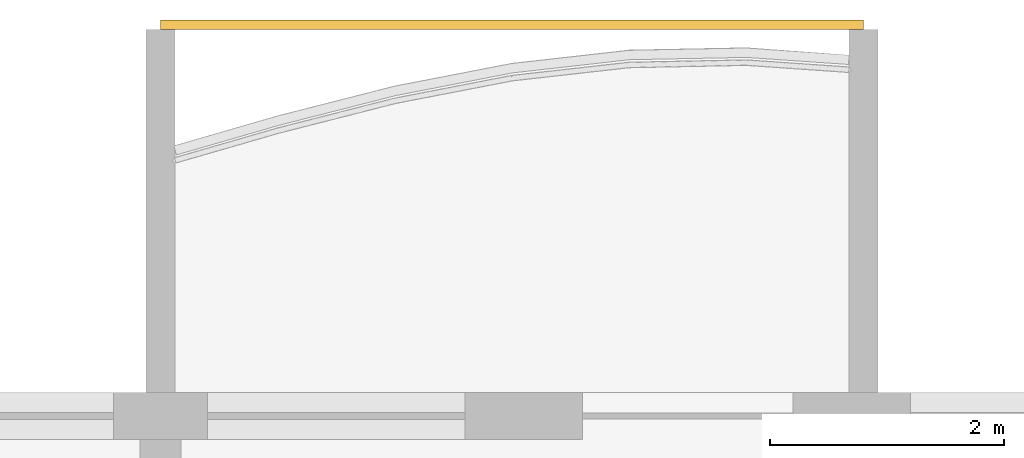
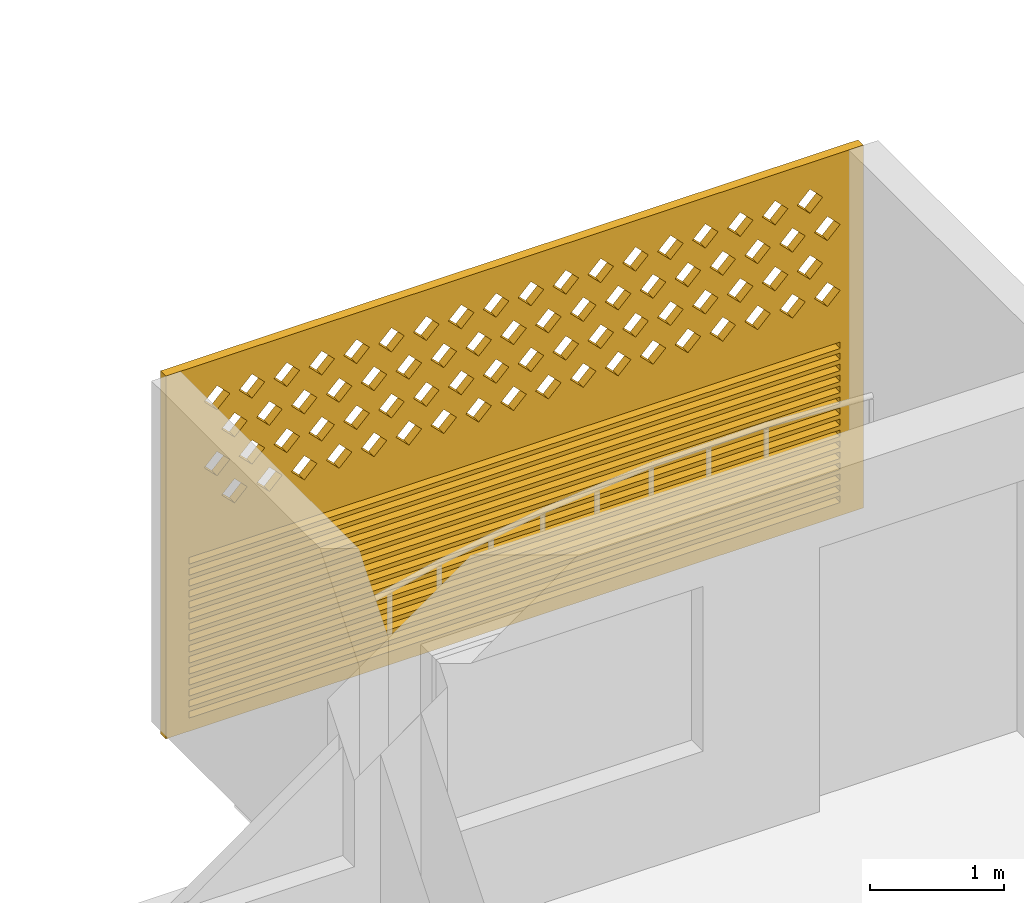
# One storey, part 21 of 30: 1 covering.
"""IFC4 building model written with IfcOpenShell, lengths in metres."""

from ifc_helpers import new_model, si_unit, direction, frame, origin, place, context, subcontext, project, spatial, polyline, outline, extrude, source, transform, mapped, material, material_profile, profile_set, type_object, element, save


model = new_model("IFC4")

# Units and contexts
model_context = context("Model", 3, precision=1e-05, world=origin(), true_north=direction((0.0, 1.0)))
body_context = subcontext(model_context, "Body", "Model", "MODEL_VIEW")
ifc_project = project(units=[si_unit("LENGTHUNIT", "METRE"), si_unit("AREAUNIT", "SQUARE_METRE"), si_unit("VOLUMEUNIT", "CUBIC_METRE"), si_unit("PLANEANGLEUNIT", "RADIAN"), si_unit("MASSUNIT", "GRAM", prefix="KILO")], contexts=[model_context])

# Site, building, storey
site_placement = place(None, origin())
site = spatial("IfcSite", under=ifc_project, at=site_placement, CompositionType="ELEMENT")
building_placement = place(site_placement, origin())
building = spatial("IfcBuilding", under=site, at=building_placement, Name="Poui Terraces", CompositionType="ELEMENT")
storey_placement = place(building_placement, frame((0.0, 0.0, 99.300048828125)))
storey = spatial("IfcBuildingStorey", under=building, at=storey_placement, Name="L27", CompositionType="ELEMENT", Elevation=99.300048828125)

# Covering
ifc_material = material(Name="Terracotta screen", Category="masonry")
ifc_material_profile = material_profile(ifc_material, outline(polyline([(-3.0, -1.64990234375), (3.0, -1.64990234375), (3.0, 1.64990234375), (-3.0, 1.64990234375), (-3.0, -1.64990234375)]), holes=[polyline([(-2.800048828125, 0.39990234375), (-2.68994140625, 0.2900390625), (-2.580078125, 0.39990234375), (-2.68994140625, 0.510009765625), (-2.800048828125, 0.39990234375)]), polyline([(-2.5, 0.39990234375), (-2.389892578125, 0.2900390625), (-2.280029296875, 0.39990234375), (-2.389892578125, 0.510009765625), (-2.5, 0.39990234375)]), polyline([(-2.199951171875, 0.39990234375), (-2.090087890625, 0.2900390625), (-1.97998046875, 0.39990234375), (-2.090087890625, 0.510009765625), (-2.199951171875, 0.39990234375)]), polyline([(-1.89990234375, 0.39990234375), (-1.7900390625, 0.2900390625), (-1.679931640625, 0.39990234375), (-1.7900390625, 0.510009765625), (-1.89990234375, 0.39990234375)]), polyline([(-1.60009765625, 0.39990234375), (-1.489990234375, 0.2900390625), (-1.3798828125, 0.39990234375), (-1.489990234375, 0.510009765625), (-1.60009765625, 0.39990234375)]), polyline([(-1.300048828125, 0.39990234375), (-1.18994140625, 0.2900390625), (-1.080078125, 0.39990234375), (-1.18994140625, 0.510009765625), (-1.300048828125, 0.39990234375)]), polyline([(-1.0, 0.39990234375), (-0.889892578125, 0.2900390625), (-0.780029296875, 0.39990234375), (-0.889892578125, 0.510009765625), (-1.0, 0.39990234375)]), polyline([(-0.699951171875, 0.39990234375), (-0.590087890625, 0.2900390625), (-0.47998046875, 0.39990234375), (-0.590087890625, 0.510009765625), (-0.699951171875, 0.39990234375)]), polyline([(-0.39990234375, 0.39990234375), (-0.2900390625, 0.2900390625), (-0.179931640625, 0.39990234375), (-0.2900390625, 0.510009765625), (-0.39990234375, 0.39990234375)]), polyline([(-0.10009765625, 0.39990234375), (0.010009765625, 0.2900390625), (0.1201171875, 0.39990234375), (0.010009765625, 0.510009765625), (-0.10009765625, 0.39990234375)]), polyline([(0.199951171875, 0.39990234375), (0.31005859375, 0.2900390625), (0.419921875, 0.39990234375), (0.31005859375, 0.510009765625), (0.199951171875, 0.39990234375)]), polyline([(0.5, 0.39990234375), (0.610107421875, 0.2900390625), (0.719970703125, 0.39990234375), (0.610107421875, 0.510009765625), (0.5, 0.39990234375)]), polyline([(0.800048828125, 0.39990234375), (0.909912109375, 0.2900390625), (1.02001953125, 0.39990234375), (0.909912109375, 0.510009765625), (0.800048828125, 0.39990234375)]), polyline([(1.10009765625, 0.39990234375), (1.2099609375, 0.2900390625), (1.320068359375, 0.39990234375), (1.2099609375, 0.510009765625), (1.10009765625, 0.39990234375)]), polyline([(1.39990234375, 0.39990234375), (1.510009765625, 0.2900390625), (1.6201171875, 0.39990234375), (1.510009765625, 0.510009765625), (1.39990234375, 0.39990234375)]), polyline([(1.699951171875, 0.39990234375), (1.81005859375, 0.2900390625), (1.919921875, 0.39990234375), (1.81005859375, 0.510009765625), (1.699951171875, 0.39990234375)]), polyline([(2.0, 0.39990234375), (2.110107421875, 0.2900390625), (2.219970703125, 0.39990234375), (2.110107421875, 0.510009765625), (2.0, 0.39990234375)]), polyline([(2.300048828125, 0.39990234375), (2.409912109375, 0.2900390625), (2.52001953125, 0.39990234375), (2.409912109375, 0.510009765625), (2.300048828125, 0.39990234375)]), polyline([(-2.64990234375, 0.699951171875), (-2.5400390625, 0.590087890625), (-2.429931640625, 0.699951171875), (-2.5400390625, 0.81005859375), (-2.64990234375, 0.699951171875)]), polyline([(-2.35009765625, 0.699951171875), (-2.239990234375, 0.590087890625), (-2.1298828125, 0.699951171875), (-2.239990234375, 0.81005859375), (-2.35009765625, 0.699951171875)]), polyline([(-2.050048828125, 0.699951171875), (-1.93994140625, 0.590087890625), (-1.830078125, 0.699951171875), (-1.93994140625, 0.81005859375), (-2.050048828125, 0.699951171875)]), polyline([(-1.75, 0.699951171875), (-1.639892578125, 0.590087890625), (-1.530029296875, 0.699951171875), (-1.639892578125, 0.81005859375), (-1.75, 0.699951171875)]), polyline([(-1.449951171875, 0.699951171875), (-1.340087890625, 0.590087890625), (-1.22998046875, 0.699951171875), (-1.340087890625, 0.81005859375), (-1.449951171875, 0.699951171875)]), polyline([(-1.14990234375, 0.699951171875), (-1.0400390625, 0.590087890625), (-0.929931640625, 0.699951171875), (-1.0400390625, 0.81005859375), (-1.14990234375, 0.699951171875)]), polyline([(-0.85009765625, 0.699951171875), (-0.739990234375, 0.590087890625), (-0.6298828125, 0.699951171875), (-0.739990234375, 0.81005859375), (-0.85009765625, 0.699951171875)]), polyline([(-0.550048828125, 0.699951171875), (-0.43994140625, 0.590087890625), (-0.330078125, 0.699951171875), (-0.43994140625, 0.81005859375), (-0.550048828125, 0.699951171875)]), polyline([(-0.25, 0.699951171875), (-0.139892578125, 0.590087890625), (-0.030029296875, 0.699951171875), (-0.139892578125, 0.81005859375), (-0.25, 0.699951171875)]), polyline([(0.050048828125, 0.699951171875), (0.159912109375, 0.590087890625), (0.27001953125, 0.699951171875), (0.159912109375, 0.81005859375), (0.050048828125, 0.699951171875)]), polyline([(0.35009765625, 0.699951171875), (0.4599609375, 0.590087890625), (0.570068359375, 0.699951171875), (0.4599609375, 0.81005859375), (0.35009765625, 0.699951171875)]), polyline([(0.64990234375, 0.699951171875), (0.760009765625, 0.590087890625), (0.8701171875, 0.699951171875), (0.760009765625, 0.81005859375), (0.64990234375, 0.699951171875)]), polyline([(0.949951171875, 0.699951171875), (1.06005859375, 0.590087890625), (1.169921875, 0.699951171875), (1.06005859375, 0.81005859375), (0.949951171875, 0.699951171875)]), polyline([(1.25, 0.699951171875), (1.360107421875, 0.590087890625), (1.469970703125, 0.699951171875), (1.360107421875, 0.81005859375), (1.25, 0.699951171875)]), polyline([(1.550048828125, 0.699951171875), (1.659912109375, 0.590087890625), (1.77001953125, 0.699951171875), (1.659912109375, 0.81005859375), (1.550048828125, 0.699951171875)]), polyline([(1.85009765625, 0.699951171875), (1.9599609375, 0.590087890625), (2.070068359375, 0.699951171875), (1.9599609375, 0.81005859375), (1.85009765625, 0.699951171875)]), polyline([(2.14990234375, 0.699951171875), (2.260009765625, 0.590087890625), (2.3701171875, 0.699951171875), (2.260009765625, 0.81005859375), (2.14990234375, 0.699951171875)]), polyline([(2.449951171875, 0.699951171875), (2.56005859375, 0.590087890625), (2.669921875, 0.699951171875), (2.56005859375, 0.81005859375), (2.449951171875, 0.699951171875)]), polyline([(-2.800048828125, 1.0), (-2.68994140625, 0.889892578125), (-2.580078125, 1.0), (-2.68994140625, 1.110107421875), (-2.800048828125, 1.0)]), polyline([(-2.5, 1.0), (-2.389892578125, 0.889892578125), (-2.280029296875, 1.0), (-2.389892578125, 1.110107421875), (-2.5, 1.0)]), polyline([(-2.199951171875, 1.0), (-2.090087890625, 0.889892578125), (-1.97998046875, 1.0), (-2.090087890625, 1.110107421875), (-2.199951171875, 1.0)]), polyline([(-1.89990234375, 1.0), (-1.7900390625, 0.889892578125), (-1.679931640625, 1.0), (-1.7900390625, 1.110107421875), (-1.89990234375, 1.0)]), polyline([(-1.60009765625, 1.0), (-1.489990234375, 0.889892578125), (-1.3798828125, 1.0), (-1.489990234375, 1.110107421875), (-1.60009765625, 1.0)]), polyline([(-1.300048828125, 1.0), (-1.18994140625, 0.889892578125), (-1.080078125, 1.0), (-1.18994140625, 1.110107421875), (-1.300048828125, 1.0)]), polyline([(-1.0, 1.0), (-0.889892578125, 0.889892578125), (-0.780029296875, 1.0), (-0.889892578125, 1.110107421875), (-1.0, 1.0)]), polyline([(-0.699951171875, 1.0), (-0.590087890625, 0.889892578125), (-0.47998046875, 1.0), (-0.590087890625, 1.110107421875), (-0.699951171875, 1.0)]), polyline([(-0.39990234375, 1.0), (-0.2900390625, 0.889892578125), (-0.179931640625, 1.0), (-0.2900390625, 1.110107421875), (-0.39990234375, 1.0)]), polyline([(-0.10009765625, 1.0), (0.010009765625, 0.889892578125), (0.1201171875, 1.0), (0.010009765625, 1.110107421875), (-0.10009765625, 1.0)]), polyline([(0.199951171875, 1.0), (0.31005859375, 0.889892578125), (0.419921875, 1.0), (0.31005859375, 1.110107421875), (0.199951171875, 1.0)]), polyline([(0.5, 1.0), (0.610107421875, 0.889892578125), (0.719970703125, 1.0), (0.610107421875, 1.110107421875), (0.5, 1.0)]), polyline([(0.800048828125, 1.0), (0.909912109375, 0.889892578125), (1.02001953125, 1.0), (0.909912109375, 1.110107421875), (0.800048828125, 1.0)]), polyline([(1.10009765625, 1.0), (1.2099609375, 0.889892578125), (1.320068359375, 1.0), (1.2099609375, 1.110107421875), (1.10009765625, 1.0)]), polyline([(1.39990234375, 1.0), (1.510009765625, 0.889892578125), (1.6201171875, 1.0), (1.510009765625, 1.110107421875), (1.39990234375, 1.0)]), polyline([(1.699951171875, 1.0), (1.81005859375, 0.889892578125), (1.919921875, 1.0), (1.81005859375, 1.110107421875), (1.699951171875, 1.0)]), polyline([(2.0, 1.0), (2.110107421875, 0.889892578125), (2.219970703125, 1.0), (2.110107421875, 1.110107421875), (2.0, 1.0)]), polyline([(2.300048828125, 1.0), (2.409912109375, 0.889892578125), (2.52001953125, 1.0), (2.409912109375, 1.110107421875), (2.300048828125, 1.0)]), polyline([(-2.64990234375, 1.300048828125), (-2.5400390625, 1.18994140625), (-2.429931640625, 1.300048828125), (-2.5400390625, 1.409912109375), (-2.64990234375, 1.300048828125)]), polyline([(-2.35009765625, 1.300048828125), (-2.239990234375, 1.18994140625), (-2.1298828125, 1.300048828125), (-2.239990234375, 1.409912109375), (-2.35009765625, 1.300048828125)]), polyline([(-2.050048828125, 1.300048828125), (-1.93994140625, 1.18994140625), (-1.830078125, 1.300048828125), (-1.93994140625, 1.409912109375), (-2.050048828125, 1.300048828125)]), polyline([(-1.75, 1.300048828125), (-1.639892578125, 1.18994140625), (-1.530029296875, 1.300048828125), (-1.639892578125, 1.409912109375), (-1.75, 1.300048828125)]), polyline([(-1.449951171875, 1.300048828125), (-1.340087890625, 1.18994140625), (-1.22998046875, 1.300048828125), (-1.340087890625, 1.409912109375), (-1.449951171875, 1.300048828125)]), polyline([(-1.14990234375, 1.300048828125), (-1.0400390625, 1.18994140625), (-0.929931640625, 1.300048828125), (-1.0400390625, 1.409912109375), (-1.14990234375, 1.300048828125)]), polyline([(-0.85009765625, 1.300048828125), (-0.739990234375, 1.18994140625), (-0.6298828125, 1.300048828125), (-0.739990234375, 1.409912109375), (-0.85009765625, 1.300048828125)]), polyline([(-0.550048828125, 1.300048828125), (-0.43994140625, 1.18994140625), (-0.330078125, 1.300048828125), (-0.43994140625, 1.409912109375), (-0.550048828125, 1.300048828125)]), polyline([(-0.25, 1.300048828125), (-0.139892578125, 1.18994140625), (-0.030029296875, 1.300048828125), (-0.139892578125, 1.409912109375), (-0.25, 1.300048828125)]), polyline([(0.050048828125, 1.300048828125), (0.159912109375, 1.18994140625), (0.27001953125, 1.300048828125), (0.159912109375, 1.409912109375), (0.050048828125, 1.300048828125)]), polyline([(0.35009765625, 1.300048828125), (0.4599609375, 1.18994140625), (0.570068359375, 1.300048828125), (0.4599609375, 1.409912109375), (0.35009765625, 1.300048828125)]), polyline([(0.64990234375, 1.300048828125), (0.760009765625, 1.18994140625), (0.8701171875, 1.300048828125), (0.760009765625, 1.409912109375), (0.64990234375, 1.300048828125)]), polyline([(0.949951171875, 1.300048828125), (1.06005859375, 1.18994140625), (1.169921875, 1.300048828125), (1.06005859375, 1.409912109375), (0.949951171875, 1.300048828125)]), polyline([(1.25, 1.300048828125), (1.360107421875, 1.18994140625), (1.469970703125, 1.300048828125), (1.360107421875, 1.409912109375), (1.25, 1.300048828125)]), polyline([(1.550048828125, 1.300048828125), (1.659912109375, 1.18994140625), (1.77001953125, 1.300048828125), (1.659912109375, 1.409912109375), (1.550048828125, 1.300048828125)]), polyline([(1.85009765625, 1.300048828125), (1.9599609375, 1.18994140625), (2.070068359375, 1.300048828125), (1.9599609375, 1.409912109375), (1.85009765625, 1.300048828125)]), polyline([(2.14990234375, 1.300048828125), (2.260009765625, 1.18994140625), (2.3701171875, 1.300048828125), (2.260009765625, 1.409912109375), (2.14990234375, 1.300048828125)]), polyline([(2.449951171875, 1.300048828125), (2.56005859375, 1.18994140625), (2.669921875, 1.300048828125), (2.56005859375, 1.409912109375), (2.449951171875, 1.300048828125)]), polyline([(-2.800048828125, -1.530029296875), (2.800048828125, -1.530029296875), (2.800048828125, -1.469970703125), (-2.800048828125, -1.469970703125), (-2.800048828125, -1.530029296875)]), polyline([(-2.800048828125, -1.429931640625), (2.800048828125, -1.429931640625), (2.800048828125, -1.3701171875), (-2.800048828125, -1.3701171875), (-2.800048828125, -1.429931640625)]), polyline([(-2.800048828125, -1.330078125), (2.800048828125, -1.330078125), (2.800048828125, -1.27001953125), (-2.800048828125, -1.27001953125), (-2.800048828125, -1.330078125)]), polyline([(-2.800048828125, -1.22998046875), (2.800048828125, -1.22998046875), (2.800048828125, -1.169921875), (-2.800048828125, -1.169921875), (-2.800048828125, -1.22998046875)]), polyline([(-2.800048828125, -1.1298828125), (2.800048828125, -1.1298828125), (2.800048828125, -1.070068359375), (-2.800048828125, -1.070068359375), (-2.800048828125, -1.1298828125)]), polyline([(-2.800048828125, -1.030029296875), (2.800048828125, -1.030029296875), (2.800048828125, -0.969970703125), (-2.800048828125, -0.969970703125), (-2.800048828125, -1.030029296875)]), polyline([(-2.800048828125, -0.929931640625), (2.800048828125, -0.929931640625), (2.800048828125, -0.8701171875), (-2.800048828125, -0.8701171875), (-2.800048828125, -0.929931640625)]), polyline([(-2.800048828125, -0.830078125), (2.800048828125, -0.830078125), (2.800048828125, -0.77001953125), (-2.800048828125, -0.77001953125), (-2.800048828125, -0.830078125)]), polyline([(-2.800048828125, -0.72998046875), (2.800048828125, -0.72998046875), (2.800048828125, -0.669921875), (-2.800048828125, -0.669921875), (-2.800048828125, -0.72998046875)]), polyline([(-2.800048828125, -0.6298828125), (2.800048828125, -0.6298828125), (2.800048828125, -0.570068359375), (-2.800048828125, -0.570068359375), (-2.800048828125, -0.6298828125)]), polyline([(-2.800048828125, -0.530029296875), (2.800048828125, -0.530029296875), (2.800048828125, -0.469970703125), (-2.800048828125, -0.469970703125), (-2.800048828125, -0.530029296875)]), polyline([(-2.800048828125, -0.429931640625), (2.800048828125, -0.429931640625), (2.800048828125, -0.3701171875), (-2.800048828125, -0.3701171875), (-2.800048828125, -0.429931640625)]), polyline([(-2.800048828125, -0.330078125), (2.800048828125, -0.330078125), (2.800048828125, -0.27001953125), (-2.800048828125, -0.27001953125), (-2.800048828125, -0.330078125)]), polyline([(-2.800048828125, -0.22998046875), (2.800048828125, -0.22998046875), (2.800048828125, -0.169921875), (-2.800048828125, -0.169921875), (-2.800048828125, -0.22998046875)]), polyline([(-2.800048828125, -0.1298828125), (2.800048828125, -0.1298828125), (2.800048828125, -0.070068359375), (-2.800048828125, -0.070068359375), (-2.800048828125, -0.1298828125)])]), Name="TERRACOTTA SCREEN AND JALOUSIE LOUVRE 6000X3300")
ifc_profile_set = profile_set([ifc_material_profile], Name="Terracotta screen")
covering_type = type_object("IfcCoveringType", Name="TERRACOTTA SCREEN AND JALOUSIE LOUVRE 6000X3300", PredefinedType="CLADDING", material=ifc_profile_set)
shared_shape = source(origin(), body_context, "Body", "SweptSolid", [
    extrude(outline(polyline([(-3.0, -1.64990234375), (3.0, -1.64990234375), (3.0, 1.64990234375), (-3.0, 1.64990234375), (-3.0, -1.64990234375)]), holes=[polyline([(-2.800048828125, 0.39990234375), (-2.68994140625, 0.2900390625), (-2.580078125, 0.39990234375), (-2.68994140625, 0.510009765625), (-2.800048828125, 0.39990234375)]), polyline([(-2.5, 0.39990234375), (-2.389892578125, 0.2900390625), (-2.280029296875, 0.39990234375), (-2.389892578125, 0.510009765625), (-2.5, 0.39990234375)]), polyline([(-2.199951171875, 0.39990234375), (-2.090087890625, 0.2900390625), (-1.97998046875, 0.39990234375), (-2.090087890625, 0.510009765625), (-2.199951171875, 0.39990234375)]), polyline([(-1.89990234375, 0.39990234375), (-1.7900390625, 0.2900390625), (-1.679931640625, 0.39990234375), (-1.7900390625, 0.510009765625), (-1.89990234375, 0.39990234375)]), polyline([(-1.60009765625, 0.39990234375), (-1.489990234375, 0.2900390625), (-1.3798828125, 0.39990234375), (-1.489990234375, 0.510009765625), (-1.60009765625, 0.39990234375)]), polyline([(-1.300048828125, 0.39990234375), (-1.18994140625, 0.2900390625), (-1.080078125, 0.39990234375), (-1.18994140625, 0.510009765625), (-1.300048828125, 0.39990234375)]), polyline([(-1.0, 0.39990234375), (-0.889892578125, 0.2900390625), (-0.780029296875, 0.39990234375), (-0.889892578125, 0.510009765625), (-1.0, 0.39990234375)]), polyline([(-0.699951171875, 0.39990234375), (-0.590087890625, 0.2900390625), (-0.47998046875, 0.39990234375), (-0.590087890625, 0.510009765625), (-0.699951171875, 0.39990234375)]), polyline([(-0.39990234375, 0.39990234375), (-0.2900390625, 0.2900390625), (-0.179931640625, 0.39990234375), (-0.2900390625, 0.510009765625), (-0.39990234375, 0.39990234375)]), polyline([(-0.10009765625, 0.39990234375), (0.010009765625, 0.2900390625), (0.1201171875, 0.39990234375), (0.010009765625, 0.510009765625), (-0.10009765625, 0.39990234375)]), polyline([(0.199951171875, 0.39990234375), (0.31005859375, 0.2900390625), (0.419921875, 0.39990234375), (0.31005859375, 0.510009765625), (0.199951171875, 0.39990234375)]), polyline([(0.5, 0.39990234375), (0.610107421875, 0.2900390625), (0.719970703125, 0.39990234375), (0.610107421875, 0.510009765625), (0.5, 0.39990234375)]), polyline([(0.800048828125, 0.39990234375), (0.909912109375, 0.2900390625), (1.02001953125, 0.39990234375), (0.909912109375, 0.510009765625), (0.800048828125, 0.39990234375)]), polyline([(1.10009765625, 0.39990234375), (1.2099609375, 0.2900390625), (1.320068359375, 0.39990234375), (1.2099609375, 0.510009765625), (1.10009765625, 0.39990234375)]), polyline([(1.39990234375, 0.39990234375), (1.510009765625, 0.2900390625), (1.6201171875, 0.39990234375), (1.510009765625, 0.510009765625), (1.39990234375, 0.39990234375)]), polyline([(1.699951171875, 0.39990234375), (1.81005859375, 0.2900390625), (1.919921875, 0.39990234375), (1.81005859375, 0.510009765625), (1.699951171875, 0.39990234375)]), polyline([(2.0, 0.39990234375), (2.110107421875, 0.2900390625), (2.219970703125, 0.39990234375), (2.110107421875, 0.510009765625), (2.0, 0.39990234375)]), polyline([(2.300048828125, 0.39990234375), (2.409912109375, 0.2900390625), (2.52001953125, 0.39990234375), (2.409912109375, 0.510009765625), (2.300048828125, 0.39990234375)]), polyline([(-2.64990234375, 0.699951171875), (-2.5400390625, 0.590087890625), (-2.429931640625, 0.699951171875), (-2.5400390625, 0.81005859375), (-2.64990234375, 0.699951171875)]), polyline([(-2.35009765625, 0.699951171875), (-2.239990234375, 0.590087890625), (-2.1298828125, 0.699951171875), (-2.239990234375, 0.81005859375), (-2.35009765625, 0.699951171875)]), polyline([(-2.050048828125, 0.699951171875), (-1.93994140625, 0.590087890625), (-1.830078125, 0.699951171875), (-1.93994140625, 0.81005859375), (-2.050048828125, 0.699951171875)]), polyline([(-1.75, 0.699951171875), (-1.639892578125, 0.590087890625), (-1.530029296875, 0.699951171875), (-1.639892578125, 0.81005859375), (-1.75, 0.699951171875)]), polyline([(-1.449951171875, 0.699951171875), (-1.340087890625, 0.590087890625), (-1.22998046875, 0.699951171875), (-1.340087890625, 0.81005859375), (-1.449951171875, 0.699951171875)]), polyline([(-1.14990234375, 0.699951171875), (-1.0400390625, 0.590087890625), (-0.929931640625, 0.699951171875), (-1.0400390625, 0.81005859375), (-1.14990234375, 0.699951171875)]), polyline([(-0.85009765625, 0.699951171875), (-0.739990234375, 0.590087890625), (-0.6298828125, 0.699951171875), (-0.739990234375, 0.81005859375), (-0.85009765625, 0.699951171875)]), polyline([(-0.550048828125, 0.699951171875), (-0.43994140625, 0.590087890625), (-0.330078125, 0.699951171875), (-0.43994140625, 0.81005859375), (-0.550048828125, 0.699951171875)]), polyline([(-0.25, 0.699951171875), (-0.139892578125, 0.590087890625), (-0.030029296875, 0.699951171875), (-0.139892578125, 0.81005859375), (-0.25, 0.699951171875)]), polyline([(0.050048828125, 0.699951171875), (0.159912109375, 0.590087890625), (0.27001953125, 0.699951171875), (0.159912109375, 0.81005859375), (0.050048828125, 0.699951171875)]), polyline([(0.35009765625, 0.699951171875), (0.4599609375, 0.590087890625), (0.570068359375, 0.699951171875), (0.4599609375, 0.81005859375), (0.35009765625, 0.699951171875)]), polyline([(0.64990234375, 0.699951171875), (0.760009765625, 0.590087890625), (0.8701171875, 0.699951171875), (0.760009765625, 0.81005859375), (0.64990234375, 0.699951171875)]), polyline([(0.949951171875, 0.699951171875), (1.06005859375, 0.590087890625), (1.169921875, 0.699951171875), (1.06005859375, 0.81005859375), (0.949951171875, 0.699951171875)]), polyline([(1.25, 0.699951171875), (1.360107421875, 0.590087890625), (1.469970703125, 0.699951171875), (1.360107421875, 0.81005859375), (1.25, 0.699951171875)]), polyline([(1.550048828125, 0.699951171875), (1.659912109375, 0.590087890625), (1.77001953125, 0.699951171875), (1.659912109375, 0.81005859375), (1.550048828125, 0.699951171875)]), polyline([(1.85009765625, 0.699951171875), (1.9599609375, 0.590087890625), (2.070068359375, 0.699951171875), (1.9599609375, 0.81005859375), (1.85009765625, 0.699951171875)]), polyline([(2.14990234375, 0.699951171875), (2.260009765625, 0.590087890625), (2.3701171875, 0.699951171875), (2.260009765625, 0.81005859375), (2.14990234375, 0.699951171875)]), polyline([(2.449951171875, 0.699951171875), (2.56005859375, 0.590087890625), (2.669921875, 0.699951171875), (2.56005859375, 0.81005859375), (2.449951171875, 0.699951171875)]), polyline([(-2.800048828125, 1.0), (-2.68994140625, 0.889892578125), (-2.580078125, 1.0), (-2.68994140625, 1.110107421875), (-2.800048828125, 1.0)]), polyline([(-2.5, 1.0), (-2.389892578125, 0.889892578125), (-2.280029296875, 1.0), (-2.389892578125, 1.110107421875), (-2.5, 1.0)]), polyline([(-2.199951171875, 1.0), (-2.090087890625, 0.889892578125), (-1.97998046875, 1.0), (-2.090087890625, 1.110107421875), (-2.199951171875, 1.0)]), polyline([(-1.89990234375, 1.0), (-1.7900390625, 0.889892578125), (-1.679931640625, 1.0), (-1.7900390625, 1.110107421875), (-1.89990234375, 1.0)]), polyline([(-1.60009765625, 1.0), (-1.489990234375, 0.889892578125), (-1.3798828125, 1.0), (-1.489990234375, 1.110107421875), (-1.60009765625, 1.0)]), polyline([(-1.300048828125, 1.0), (-1.18994140625, 0.889892578125), (-1.080078125, 1.0), (-1.18994140625, 1.110107421875), (-1.300048828125, 1.0)]), polyline([(-1.0, 1.0), (-0.889892578125, 0.889892578125), (-0.780029296875, 1.0), (-0.889892578125, 1.110107421875), (-1.0, 1.0)]), polyline([(-0.699951171875, 1.0), (-0.590087890625, 0.889892578125), (-0.47998046875, 1.0), (-0.590087890625, 1.110107421875), (-0.699951171875, 1.0)]), polyline([(-0.39990234375, 1.0), (-0.2900390625, 0.889892578125), (-0.179931640625, 1.0), (-0.2900390625, 1.110107421875), (-0.39990234375, 1.0)]), polyline([(-0.10009765625, 1.0), (0.010009765625, 0.889892578125), (0.1201171875, 1.0), (0.010009765625, 1.110107421875), (-0.10009765625, 1.0)]), polyline([(0.199951171875, 1.0), (0.31005859375, 0.889892578125), (0.419921875, 1.0), (0.31005859375, 1.110107421875), (0.199951171875, 1.0)]), polyline([(0.5, 1.0), (0.610107421875, 0.889892578125), (0.719970703125, 1.0), (0.610107421875, 1.110107421875), (0.5, 1.0)]), polyline([(0.800048828125, 1.0), (0.909912109375, 0.889892578125), (1.02001953125, 1.0), (0.909912109375, 1.110107421875), (0.800048828125, 1.0)]), polyline([(1.10009765625, 1.0), (1.2099609375, 0.889892578125), (1.320068359375, 1.0), (1.2099609375, 1.110107421875), (1.10009765625, 1.0)]), polyline([(1.39990234375, 1.0), (1.510009765625, 0.889892578125), (1.6201171875, 1.0), (1.510009765625, 1.110107421875), (1.39990234375, 1.0)]), polyline([(1.699951171875, 1.0), (1.81005859375, 0.889892578125), (1.919921875, 1.0), (1.81005859375, 1.110107421875), (1.699951171875, 1.0)]), polyline([(2.0, 1.0), (2.110107421875, 0.889892578125), (2.219970703125, 1.0), (2.110107421875, 1.110107421875), (2.0, 1.0)]), polyline([(2.300048828125, 1.0), (2.409912109375, 0.889892578125), (2.52001953125, 1.0), (2.409912109375, 1.110107421875), (2.300048828125, 1.0)]), polyline([(-2.64990234375, 1.300048828125), (-2.5400390625, 1.18994140625), (-2.429931640625, 1.300048828125), (-2.5400390625, 1.409912109375), (-2.64990234375, 1.300048828125)]), polyline([(-2.35009765625, 1.300048828125), (-2.239990234375, 1.18994140625), (-2.1298828125, 1.300048828125), (-2.239990234375, 1.409912109375), (-2.35009765625, 1.300048828125)]), polyline([(-2.050048828125, 1.300048828125), (-1.93994140625, 1.18994140625), (-1.830078125, 1.300048828125), (-1.93994140625, 1.409912109375), (-2.050048828125, 1.300048828125)]), polyline([(-1.75, 1.300048828125), (-1.639892578125, 1.18994140625), (-1.530029296875, 1.300048828125), (-1.639892578125, 1.409912109375), (-1.75, 1.300048828125)]), polyline([(-1.449951171875, 1.300048828125), (-1.340087890625, 1.18994140625), (-1.22998046875, 1.300048828125), (-1.340087890625, 1.409912109375), (-1.449951171875, 1.300048828125)]), polyline([(-1.14990234375, 1.300048828125), (-1.0400390625, 1.18994140625), (-0.929931640625, 1.300048828125), (-1.0400390625, 1.409912109375), (-1.14990234375, 1.300048828125)]), polyline([(-0.85009765625, 1.300048828125), (-0.739990234375, 1.18994140625), (-0.6298828125, 1.300048828125), (-0.739990234375, 1.409912109375), (-0.85009765625, 1.300048828125)]), polyline([(-0.550048828125, 1.300048828125), (-0.43994140625, 1.18994140625), (-0.330078125, 1.300048828125), (-0.43994140625, 1.409912109375), (-0.550048828125, 1.300048828125)]), polyline([(-0.25, 1.300048828125), (-0.139892578125, 1.18994140625), (-0.030029296875, 1.300048828125), (-0.139892578125, 1.409912109375), (-0.25, 1.300048828125)]), polyline([(0.050048828125, 1.300048828125), (0.159912109375, 1.18994140625), (0.27001953125, 1.300048828125), (0.159912109375, 1.409912109375), (0.050048828125, 1.300048828125)]), polyline([(0.35009765625, 1.300048828125), (0.4599609375, 1.18994140625), (0.570068359375, 1.300048828125), (0.4599609375, 1.409912109375), (0.35009765625, 1.300048828125)]), polyline([(0.64990234375, 1.300048828125), (0.760009765625, 1.18994140625), (0.8701171875, 1.300048828125), (0.760009765625, 1.409912109375), (0.64990234375, 1.300048828125)]), polyline([(0.949951171875, 1.300048828125), (1.06005859375, 1.18994140625), (1.169921875, 1.300048828125), (1.06005859375, 1.409912109375), (0.949951171875, 1.300048828125)]), polyline([(1.25, 1.300048828125), (1.360107421875, 1.18994140625), (1.469970703125, 1.300048828125), (1.360107421875, 1.409912109375), (1.25, 1.300048828125)]), polyline([(1.550048828125, 1.300048828125), (1.659912109375, 1.18994140625), (1.77001953125, 1.300048828125), (1.659912109375, 1.409912109375), (1.550048828125, 1.300048828125)]), polyline([(1.85009765625, 1.300048828125), (1.9599609375, 1.18994140625), (2.070068359375, 1.300048828125), (1.9599609375, 1.409912109375), (1.85009765625, 1.300048828125)]), polyline([(2.14990234375, 1.300048828125), (2.260009765625, 1.18994140625), (2.3701171875, 1.300048828125), (2.260009765625, 1.409912109375), (2.14990234375, 1.300048828125)]), polyline([(2.449951171875, 1.300048828125), (2.56005859375, 1.18994140625), (2.669921875, 1.300048828125), (2.56005859375, 1.409912109375), (2.449951171875, 1.300048828125)]), polyline([(-2.800048828125, -1.530029296875), (2.800048828125, -1.530029296875), (2.800048828125, -1.469970703125), (-2.800048828125, -1.469970703125), (-2.800048828125, -1.530029296875)]), polyline([(-2.800048828125, -1.429931640625), (2.800048828125, -1.429931640625), (2.800048828125, -1.3701171875), (-2.800048828125, -1.3701171875), (-2.800048828125, -1.429931640625)]), polyline([(-2.800048828125, -1.330078125), (2.800048828125, -1.330078125), (2.800048828125, -1.27001953125), (-2.800048828125, -1.27001953125), (-2.800048828125, -1.330078125)]), polyline([(-2.800048828125, -1.22998046875), (2.800048828125, -1.22998046875), (2.800048828125, -1.169921875), (-2.800048828125, -1.169921875), (-2.800048828125, -1.22998046875)]), polyline([(-2.800048828125, -1.1298828125), (2.800048828125, -1.1298828125), (2.800048828125, -1.070068359375), (-2.800048828125, -1.070068359375), (-2.800048828125, -1.1298828125)]), polyline([(-2.800048828125, -1.030029296875), (2.800048828125, -1.030029296875), (2.800048828125, -0.969970703125), (-2.800048828125, -0.969970703125), (-2.800048828125, -1.030029296875)]), polyline([(-2.800048828125, -0.929931640625), (2.800048828125, -0.929931640625), (2.800048828125, -0.8701171875), (-2.800048828125, -0.8701171875), (-2.800048828125, -0.929931640625)]), polyline([(-2.800048828125, -0.830078125), (2.800048828125, -0.830078125), (2.800048828125, -0.77001953125), (-2.800048828125, -0.77001953125), (-2.800048828125, -0.830078125)]), polyline([(-2.800048828125, -0.72998046875), (2.800048828125, -0.72998046875), (2.800048828125, -0.669921875), (-2.800048828125, -0.669921875), (-2.800048828125, -0.72998046875)]), polyline([(-2.800048828125, -0.6298828125), (2.800048828125, -0.6298828125), (2.800048828125, -0.570068359375), (-2.800048828125, -0.570068359375), (-2.800048828125, -0.6298828125)]), polyline([(-2.800048828125, -0.530029296875), (2.800048828125, -0.530029296875), (2.800048828125, -0.469970703125), (-2.800048828125, -0.469970703125), (-2.800048828125, -0.530029296875)]), polyline([(-2.800048828125, -0.429931640625), (2.800048828125, -0.429931640625), (2.800048828125, -0.3701171875), (-2.800048828125, -0.3701171875), (-2.800048828125, -0.429931640625)]), polyline([(-2.800048828125, -0.330078125), (2.800048828125, -0.330078125), (2.800048828125, -0.27001953125), (-2.800048828125, -0.27001953125), (-2.800048828125, -0.330078125)]), polyline([(-2.800048828125, -0.22998046875), (2.800048828125, -0.22998046875), (2.800048828125, -0.169921875), (-2.800048828125, -0.169921875), (-2.800048828125, -0.22998046875)]), polyline([(-2.800048828125, -0.1298828125), (2.800048828125, -0.1298828125), (2.800048828125, -0.070068359375), (-2.800048828125, -0.070068359375), (-2.800048828125, -0.1298828125)])]), origin(), (0.0, 0.0, 1.0), 0.080078125),
])
covering_placement = place(storey_placement, frame((27.0, 46.89990234375, 1.449951171875), z_axis=(0.0, 1.0, 0.0), x_axis=(-1.0, 0.0, 0.0)))
element("IfcCovering", 1, at=covering_placement, inside=storey, type_object=covering_type, Name="SOLAR SCREEN AND JALOUSIE LOUVRE", PredefinedType="CLADDING", context=body_context, shape_type="MappedRepresentation", body=[
    mapped(shared_shape, transform((0.0, 0.0, 0.0))),
])

save(model, "model.ifc")
